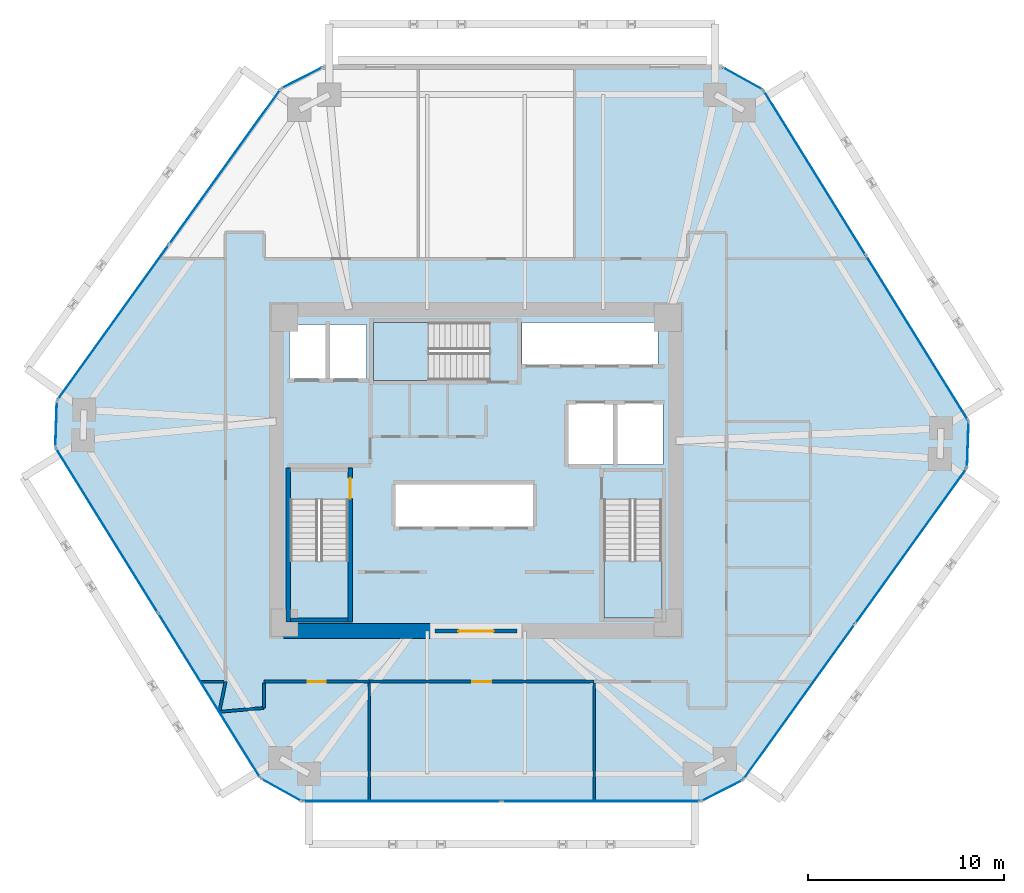
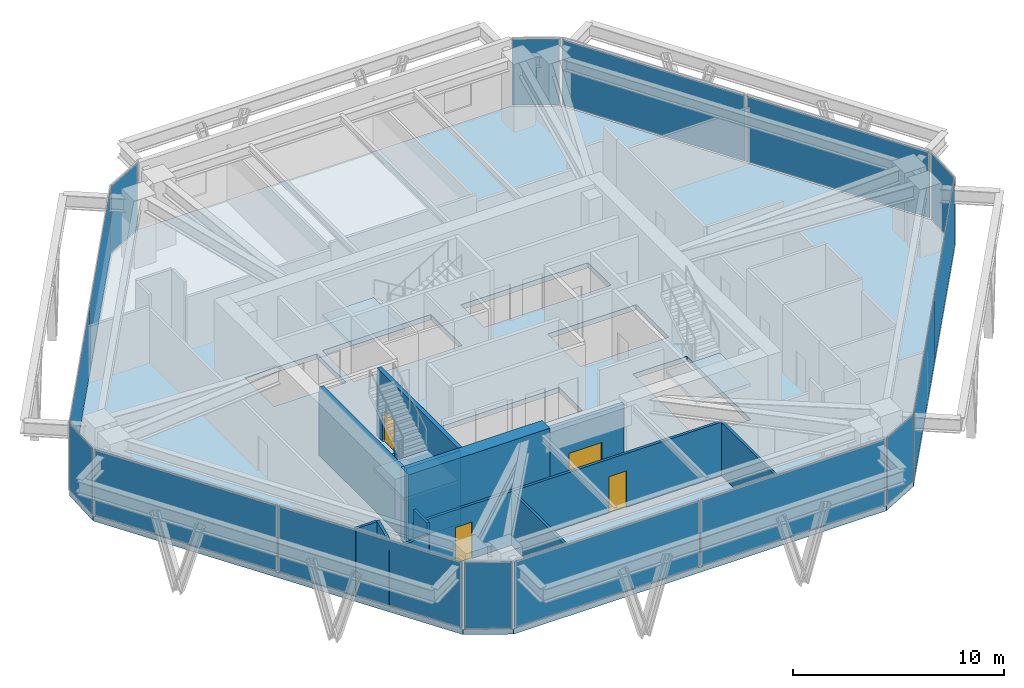
# One storey, part 9 of 14: 16 plates, 13 walls, 4 doors, 4 slabs, 4 openings, 14 elements without a shape of their own.
"""IFC4 building model written with IfcOpenShell, lengths in metres."""

from ifc_helpers import new_model, si_unit, direction, frame, frame_2d, origin, origin_2d, place, context, subcontext, project, spatial, polyline, rectangle, outline, extrude, source, transform, mapped, material, layer, layer_set, type_object, type_shapes, element, fill, aggregate, save


model = new_model("IFC4")

# Units and contexts
model_context = context("Model", 3, precision=1e-05, world=origin(), true_north=direction((0.0, 1.0)))
body_context = subcontext(model_context, "Body", "Model", "MODEL_VIEW")
ifc_project = project(units=[si_unit("LENGTHUNIT", "METRE"), si_unit("AREAUNIT", "SQUARE_METRE"), si_unit("VOLUMEUNIT", "CUBIC_METRE"), si_unit("PLANEANGLEUNIT", "RADIAN"), si_unit("MASSUNIT", "GRAM", prefix="KILO")], contexts=[model_context])

# Site, building, storey
site_placement = place(None, origin())
site = spatial("IfcSite", under=ifc_project, at=site_placement, CompositionType="ELEMENT")
building_placement = place(site_placement, origin())
building = spatial("IfcBuilding", under=site, at=building_placement, Name="Durnholm Broadcast Tower", CompositionType="ELEMENT")
storey_placement = place(building_placement, frame((0.0, 0.0, 93.300048828125)))
storey = spatial("IfcBuildingStorey", under=building, at=storey_placement, Name="L24", CompositionType="ELEMENT", Elevation=93.300048828125)

# Slab
ifc_material_1 = material(Name="Concrete C50/60", Category="concrete")
ifc_layer_1 = layer(ifc_material_1, 0.300048828125)
ifc_layer_set_1 = layer_set([ifc_layer_1], Name="Concrete C50/60")
slab_type_1 = type_object("IfcSlabType", Name="SLAB-FLR-300", PredefinedType="FLOOR", material=ifc_layer_set_1)
slab_1_placement = place(storey_placement, frame((0.0, 0.0, -0.300048828125)))
element("IfcSlab", 1, at=slab_1_placement, inside=storey, type_object=slab_type_1, Name="L24 structural floor slab", PredefinedType="FLOOR", context=body_context, shape_type="SweptSolid", body=[
    extrude(outline(polyline([(-11.012451171875, -15.77001953125), (-8.915283203125, -16.93701171875), (11.51416015625, -16.93701171875), (13.649658203125, -15.841796875), (25.11279296875, 0.114990234375), (25.1943359375, 2.513671875), (14.6904296875, 19.447998046875), (12.59326171875, 20.614990234375), (-7.836181640625, 20.614990234375), (-9.9716796875, 19.519775390625), (-21.434814453125, 3.56298828125), (-21.516357421875, 1.164306640625), (-11.012451171875, -15.77001953125)]), holes=[polyline([(-6.5400390625, -1.5), (-9.5, -1.5), (-9.5, -7.550048828125), (-6.5400390625, -7.550048828125), (-6.5400390625, -1.5)]), polyline([(9.5, -7.550048828125), (9.5, -1.5), (6.5400390625, -1.5), (6.5400390625, -7.550048828125), (9.5, -7.550048828125)]), polyline([(2.949951171875, -0.699951171875), (-4.14990234375, -0.699951171875), (-4.14990234375, -2.89990234375), (2.949951171875, -2.89990234375), (2.949951171875, -0.699951171875)]), polyline([(9.550048828125, 3.39990234375), (4.699951171875, 3.39990234375), (4.699951171875, 0.300048828125), (9.550048828125, 0.300048828125), (9.550048828125, 3.39990234375)]), polyline([(-5.60009765625, 7.449951171875), (-9.550048828125, 7.449951171875), (-9.550048828125, 4.699951171875), (-5.60009765625, 4.699951171875), (-5.60009765625, 7.449951171875)]), polyline([(-5.25, 4.60009765625), (0.699951171875, 4.60009765625), (0.699951171875, 7.56005859375), (-5.25, 7.56005859375), (-5.25, 4.60009765625)]), polyline([(9.31005859375, 7.550048828125), (2.35009765625, 7.550048828125), (2.35009765625, 5.39990234375), (9.31005859375, 5.39990234375), (9.31005859375, 7.550048828125)])]), origin(), (0.0, 0.0, 1.0), 0.300048828125),
])

# Stair, slab
stair_type = type_object("IfcStairType", Name="STAIR-DL-24R1750", PredefinedType="HALF_TURN_STAIR", material=ifc_material_1)
stair_1_placement = place(storey_placement, origin())
stair_1 = element("IfcStair", 2, at=stair_1_placement, inside=storey, type_object=stair_type, Name="L24 ST-1", PredefinedType="HALF_TURN_STAIR")
ifc_layer_2 = layer(ifc_material_1, 0.199951171875)
ifc_layer_set_2 = layer_set([ifc_layer_2], Name="Concrete C50/60")
slab_type_2 = type_object("IfcSlabType", Name="SLAB-LND-200", PredefinedType="LANDING", material=ifc_layer_set_2)
slab_2_placement = place(storey_placement, frame((0.0, 0.0, 1.89990234375)))
slab_2 = element("IfcSlab", 3, at=slab_2_placement, type_object=slab_type_2, Name="ST-1 landing 1", PredefinedType="LANDING", context=body_context, shape_type="SweptSolid", body=[
    extrude(outline(polyline([(-9.5, -4.635009765625), (-9.5, -7.550048828125), (-6.5400390625, -7.550048828125), (-6.5400390625, -4.635009765625), (-9.5, -4.635009765625)])), origin(), (0.0, 0.0, 1.0), 0.199951171875),
])
aggregate(stair_1, [slab_2])

stair_2_placement = place(storey_placement, origin())
stair_2 = element("IfcStair", 4, at=stair_2_placement, inside=storey, type_object=stair_type, Name="L24 ST-2", PredefinedType="HALF_TURN_STAIR")
slab_3_placement = place(storey_placement, frame((0.0, 0.0, 1.89990234375)))
slab_3 = element("IfcSlab", 5, at=slab_3_placement, type_object=slab_type_2, Name="ST-2 landing 1", PredefinedType="LANDING", context=body_context, shape_type="SweptSolid", body=[
    extrude(outline(polyline([(6.5400390625, -4.635009765625), (6.5400390625, -7.550048828125), (9.5, -7.550048828125), (9.5, -4.635009765625), (6.5400390625, -4.635009765625)])), origin(), (0.0, 0.0, 1.0), 0.199951171875),
])
aggregate(stair_2, [slab_3])

stair_3_placement = place(storey_placement, origin())
stair_3 = element("IfcStair", 6, at=stair_3_placement, inside=storey, type_object=stair_type, Name="L24 ST-3", PredefinedType="HALF_TURN_STAIR")
slab_4_placement = place(storey_placement, frame((0.0, 0.0, 1.89990234375)))
slab_4 = element("IfcSlab", 7, at=slab_4_placement, type_object=slab_type_2, Name="ST-3 landing 1", PredefinedType="LANDING", context=body_context, shape_type="SweptSolid", body=[
    extrude(outline(polyline([(-2.43505859375, 7.56005859375), (-5.25, 7.56005859375), (-5.25, 4.60009765625), (-2.43505859375, 4.60009765625), (-2.43505859375, 7.56005859375)])), origin(), (0.0, 0.0, 1.0), 0.199951171875),
])
aggregate(stair_3, [slab_4])

# Curtain wall, plate
ifc_material_2 = material(Name="Aluminium and Solar Control IGU", Category="aluminium")
ifc_layer_3 = layer(ifc_material_2, 0.1650390625)
ifc_layer_set_3 = layer_set([ifc_layer_3], Name="Aluminium and Solar Control IGU")
curtain_wall_type_1 = type_object("IfcCurtainWallType", Name="CW-SYS-5", PredefinedType="NOTDEFINED", material=ifc_layer_set_3)
curtain_wall_1_placement = place(storey_placement, origin())
curtain_wall_1 = element("IfcCurtainWall", 8, at=curtain_wall_1_placement, inside=storey, type_object=curtain_wall_type_1, Name="L24 curtain wall CW-CORNER CW-L24-CRN-01", PredefinedType="NOTDEFINED")
ifc_material_3 = material(Name="Low-E Laminated Insulating Glass", Category="glass")
ifc_layer_4 = layer(ifc_material_3, 0.030029296875)
ifc_layer_set_4 = layer_set([ifc_layer_4], Name="Low-E Laminated Insulating Glass")
plate_type_1 = type_object("IfcPlateType", Name="CW-SYS-5-PNL", PredefinedType="CURTAIN_PANEL", material=ifc_layer_set_4)
shared_shape_1 = source(origin(), body_context, "Body", "SweptSolid", [
    extrude(rectangle(XDim=2.27001953125, YDim=0.030029296875, at=origin_2d()), origin(), (0.0, 0.0, 1.0), 3.830078125),
])
type_shapes(plate_type_1, [shared_shape_1])
plate_1_placement = place(storey_placement, frame((-21.4755859375, 2.36376953125, 0.06494140625), z_axis=(0.0, 0.0, 1.0), x_axis=(0.033916937775, 0.999424655155, 0.0)))
plate_1 = element("IfcPlate", 9, at=plate_1_placement, type_object=plate_type_1, Name="CW-CORNER panel 1.1", PredefinedType="CURTAIN_PANEL", context=body_context, shape_type="MappedRepresentation", body=[
    mapped(shared_shape_1, transform((0.0, 0.0, 0.0), x_axis=(1.0, 0.0, 0.0), y_axis=(0.0, 1.0, 0.0), z_axis=(0.0, 0.0, 1.0), scale=1.0)),
])
aggregate(curtain_wall_1, [plate_1])

curtain_wall_2_placement = place(storey_placement, origin())
curtain_wall_2 = element("IfcCurtainWall", 10, at=curtain_wall_2_placement, inside=storey, type_object=curtain_wall_type_1, Name="L24 curtain wall CW-CORNER CW-L24-CRN-03", PredefinedType="NOTDEFINED")
plate_2_placement = place(storey_placement, frame((-8.904052734375, 20.0673828125, 0.06494140625), z_axis=(0.0, 0.0, 1.0), x_axis=(0.889788396392, 0.45637332267, 0.0)))
plate_2 = element("IfcPlate", 11, at=plate_2_placement, type_object=plate_type_1, Name="CW-CORNER panel 1.1", PredefinedType="CURTAIN_PANEL", context=body_context, shape_type="MappedRepresentation", body=[
    mapped(shared_shape_1, transform((0.0, 0.0, 0.0), x_axis=(1.0, 0.0, 0.0), y_axis=(0.0, 1.0, 0.0), z_axis=(0.0, 0.0, 1.0), scale=1.0)),
])
aggregate(curtain_wall_2, [plate_2])

curtain_wall_3_placement = place(storey_placement, origin())
curtain_wall_3 = element("IfcCurtainWall", 12, at=curtain_wall_3_placement, inside=storey, type_object=curtain_wall_type_1, Name="L24 curtain wall CW-CORNER CW-L24-CRN-05", PredefinedType="NOTDEFINED")
plate_3_placement = place(storey_placement, frame((13.641845703125, 20.031494140625, 0.06494140625), z_axis=(0.0, 0.0, 1.0), x_axis=(0.873822953715, -0.486244224192, 0.0)))
plate_3 = element("IfcPlate", 13, at=plate_3_placement, type_object=plate_type_1, Name="CW-CORNER panel 1.1", PredefinedType="CURTAIN_PANEL", context=body_context, shape_type="MappedRepresentation", body=[
    mapped(shared_shape_1, transform((0.0, 0.0, 0.0), x_axis=(1.0, 0.0, 0.0), y_axis=(0.0, 1.0, 0.0), z_axis=(0.0, 0.0, 1.0), scale=1.0)),
])
aggregate(curtain_wall_3, [plate_3])

curtain_wall_4_placement = place(storey_placement, origin())
curtain_wall_4 = element("IfcCurtainWall", 14, at=curtain_wall_4_placement, inside=storey, type_object=curtain_wall_type_1, Name="L24 curtain wall CW-CORNER CW-L24-CRN-07", PredefinedType="NOTDEFINED")
plate_4_placement = place(storey_placement, frame((25.153564453125, 1.314208984375, 0.06494140625), z_axis=(0.0, 0.0, 1.0), x_axis=(-0.033916937775, -0.999424655155, 0.0)))
plate_4 = element("IfcPlate", 15, at=plate_4_placement, type_object=plate_type_1, Name="CW-CORNER panel 1.1", PredefinedType="CURTAIN_PANEL", context=body_context, shape_type="MappedRepresentation", body=[
    mapped(shared_shape_1, transform((0.0, 0.0, 0.0), x_axis=(1.0, 0.0, 0.0), y_axis=(0.0, 1.0, 0.0), z_axis=(0.0, 0.0, 1.0), scale=1.0)),
])
aggregate(curtain_wall_4, [plate_4])

curtain_wall_5_placement = place(storey_placement, origin())
curtain_wall_5 = element("IfcCurtainWall", 16, at=curtain_wall_5_placement, inside=storey, type_object=curtain_wall_type_1, Name="L24 curtain wall CW-CORNER CW-L24-CRN-09", PredefinedType="NOTDEFINED")
plate_5_placement = place(storey_placement, frame((12.58203125, -16.389404296875, 0.06494140625), z_axis=(0.0, 0.0, 1.0), x_axis=(-0.889788396392, -0.45637332267, 0.0)))
plate_5 = element("IfcPlate", 17, at=plate_5_placement, type_object=plate_type_1, Name="CW-CORNER panel 1.1", PredefinedType="CURTAIN_PANEL", context=body_context, shape_type="MappedRepresentation", body=[
    mapped(shared_shape_1, transform((0.0, 0.0, 0.0), x_axis=(1.0, 0.0, 0.0), y_axis=(0.0, 1.0, 0.0), z_axis=(0.0, 0.0, 1.0), scale=1.0)),
])
aggregate(curtain_wall_5, [plate_5])

curtain_wall_6_placement = place(storey_placement, origin())
curtain_wall_6 = element("IfcCurtainWall", 18, at=curtain_wall_6_placement, inside=storey, type_object=curtain_wall_type_1, Name="L24 curtain wall CW-CORNER CW-L24-CRN-11", PredefinedType="NOTDEFINED")
plate_6_placement = place(storey_placement, frame((-9.9638671875, -16.353515625, 0.06494140625), z_axis=(0.0, 0.0, 1.0), x_axis=(-0.873822953715, 0.486244224192, 0.0)))
plate_6 = element("IfcPlate", 19, at=plate_6_placement, type_object=plate_type_1, Name="CW-CORNER panel 1.1", PredefinedType="CURTAIN_PANEL", context=body_context, shape_type="MappedRepresentation", body=[
    mapped(shared_shape_1, transform((0.0, 0.0, 0.0), x_axis=(1.0, 0.0, 0.0), y_axis=(0.0, 1.0, 0.0), z_axis=(0.0, 0.0, 1.0), scale=1.0)),
])
aggregate(curtain_wall_6, [plate_6])

# Curtain wall, plates
ifc_layer_5 = layer(ifc_material_2, 0.219970703125)
ifc_layer_set_5 = layer_set([ifc_layer_5], Name="Aluminium and Solar Control IGU")
curtain_wall_type_2 = type_object("IfcCurtainWallType", Name="CW-SYS-6", PredefinedType="NOTDEFINED", material=ifc_layer_set_5)
curtain_wall_7_placement = place(storey_placement, origin())
curtain_wall_7 = element("IfcCurtainWall", 20, at=curtain_wall_7_placement, inside=storey, type_object=curtain_wall_type_2, Name="L24 curtain wall CW-AMENITY CW-L24-F02", PredefinedType="NOTDEFINED")
ifc_layer_6 = layer(ifc_material_3, 0.0380859375)
ifc_layer_set_6 = layer_set([ifc_layer_6], Name="Low-E Laminated Insulating Glass")
plate_type_2 = type_object("IfcPlateType", Name="CW-SYS-6-PNL", PredefinedType="CURTAIN_PANEL", material=ifc_layer_set_6)
shared_shape_2 = source(origin(), body_context, "Body", "SweptSolid", [
    extrude(rectangle(XDim=9.711181640625, YDim=0.0380859375, at=origin_2d()), origin(), (0.0, 0.0, 1.0), 3.81005859375),
])
plate_7_placement = place(storey_placement, frame((-18.55810546875, 7.5673828125, 0.074951171875), z_axis=(0.0, 0.0, 1.0), x_axis=(0.583445473786, 0.812152312759, 0.0)))
plate_7 = element("IfcPlate", 21, at=plate_7_placement, type_object=plate_type_2, Name="CW-AMENITY panel 1.1", PredefinedType="CURTAIN_PANEL", context=body_context, shape_type="MappedRepresentation", body=[
    mapped(shared_shape_2, transform((0.0, 0.0, 0.0), x_axis=(1.0, 0.0, 0.0), y_axis=(0.0, 1.0, 0.0), z_axis=(0.0, 0.0, 1.0), scale=1.0)),
])
plate_8_placement = place(storey_placement, frame((-12.848388671875, 15.515380859375, 0.074951171875), z_axis=(0.0, 0.0, 1.0), x_axis=(0.583445473786, 0.812152312759, 0.0)))
plate_8 = element("IfcPlate", 22, at=plate_8_placement, type_object=plate_type_2, Name="CW-AMENITY panel 2.1", PredefinedType="CURTAIN_PANEL", context=body_context, shape_type="MappedRepresentation", body=[
    mapped(shared_shape_2, transform((0.0, 0.0, 0.0), x_axis=(1.0, 0.0, 0.0), y_axis=(0.0, 1.0, 0.0), z_axis=(0.0, 0.0, 1.0), scale=1.0)),
])
aggregate(curtain_wall_7, [plate_7, plate_8])

curtain_wall_8_placement = place(storey_placement, origin())
curtain_wall_8 = element("IfcCurtainWall", 23, at=curtain_wall_8_placement, inside=storey, type_object=curtain_wall_type_2, Name="L24 curtain wall CW-AMENITY CW-L24-F08", PredefinedType="NOTDEFINED")
plate_9_placement = place(storey_placement, frame((22.236083984375, -3.889404296875, 0.074951171875), z_axis=(0.0, 0.0, 1.0), x_axis=(-0.583445473786, -0.812152312759, 0.0)))
plate_9 = element("IfcPlate", 24, at=plate_9_placement, type_object=plate_type_2, Name="CW-AMENITY panel 1.1", PredefinedType="CURTAIN_PANEL", context=body_context, shape_type="MappedRepresentation", body=[
    mapped(shared_shape_2, transform((0.0, 0.0, 0.0), x_axis=(1.0, 0.0, 0.0), y_axis=(0.0, 1.0, 0.0), z_axis=(0.0, 0.0, 1.0), scale=1.0)),
])
plate_10_placement = place(storey_placement, frame((16.5263671875, -11.83740234375, 0.074951171875), z_axis=(0.0, 0.0, 1.0), x_axis=(-0.583445473786, -0.812152312759, 0.0)))
plate_10 = element("IfcPlate", 25, at=plate_10_placement, type_object=plate_type_2, Name="CW-AMENITY panel 2.1", PredefinedType="CURTAIN_PANEL", context=body_context, shape_type="MappedRepresentation", body=[
    mapped(shared_shape_2, transform((0.0, 0.0, 0.0), x_axis=(1.0, 0.0, 0.0), y_axis=(0.0, 1.0, 0.0), z_axis=(0.0, 0.0, 1.0), scale=1.0)),
])
aggregate(curtain_wall_8, [plate_9, plate_10])

curtain_wall_9_placement = place(storey_placement, origin())
curtain_wall_9 = element("IfcCurtainWall", 26, at=curtain_wall_9_placement, inside=storey, type_object=curtain_wall_type_2, Name="L24 curtain wall CW-AMENITY CW-L24-F06", PredefinedType="NOTDEFINED")
shared_shape_3 = source(origin(), body_context, "Body", "SweptSolid", [
    extrude(rectangle(XDim=9.851318359375, YDim=0.0380859375, at=origin_2d()), origin(), (0.0, 0.0, 1.0), 3.81005859375),
])
plate_11_placement = place(storey_placement, frame((17.326171875, 15.198486328125, 0.074951171875), z_axis=(0.0, 0.0, 1.0), x_axis=(0.527105385176, -0.849799925229, 0.0)))
plate_11 = element("IfcPlate", 27, at=plate_11_placement, type_object=plate_type_2, Name="CW-AMENITY panel 1.1", PredefinedType="CURTAIN_PANEL", context=body_context, shape_type="MappedRepresentation", body=[
    mapped(shared_shape_3, transform((0.0, 0.0, 0.0), x_axis=(1.0, 0.0, 0.0), y_axis=(0.0, 1.0, 0.0), z_axis=(0.0, 0.0, 1.0), scale=1.0)),
])
plate_12_placement = place(storey_placement, frame((22.558349609375, 6.76318359375, 0.074951171875), z_axis=(0.0, 0.0, 1.0), x_axis=(0.527105385176, -0.849799925229, 0.0)))
plate_12 = element("IfcPlate", 28, at=plate_12_placement, type_object=plate_type_2, Name="CW-AMENITY panel 2.1", PredefinedType="CURTAIN_PANEL", context=body_context, shape_type="MappedRepresentation", body=[
    mapped(shared_shape_3, transform((0.0, 0.0, 0.0), x_axis=(1.0, 0.0, 0.0), y_axis=(0.0, 1.0, 0.0), z_axis=(0.0, 0.0, 1.0), scale=1.0)),
])
aggregate(curtain_wall_9, [plate_11, plate_12])

curtain_wall_10_placement = place(storey_placement, origin())
curtain_wall_10 = element("IfcCurtainWall", 29, at=curtain_wall_10_placement, inside=storey, type_object=curtain_wall_type_2, Name="L24 curtain wall CW-AMENITY CW-L24-F12", PredefinedType="NOTDEFINED")
plate_13_placement = place(storey_placement, frame((-13.648193359375, -11.5205078125, 0.074951171875), z_axis=(0.0, 0.0, 1.0), x_axis=(-0.527105385176, 0.849799925229, 0.0)))
plate_13 = element("IfcPlate", 30, at=plate_13_placement, type_object=plate_type_2, Name="CW-AMENITY panel 1.1", PredefinedType="CURTAIN_PANEL", context=body_context, shape_type="MappedRepresentation", body=[
    mapped(shared_shape_3, transform((0.0, 0.0, 0.0), x_axis=(1.0, 0.0, 0.0), y_axis=(0.0, 1.0, 0.0), z_axis=(0.0, 0.0, 1.0), scale=1.0)),
])
plate_14_placement = place(storey_placement, frame((-18.88037109375, -3.085205078125, 0.074951171875), z_axis=(0.0, 0.0, 1.0), x_axis=(-0.527105385176, 0.849799925229, 0.0)))
plate_14 = element("IfcPlate", 31, at=plate_14_placement, type_object=plate_type_2, Name="CW-AMENITY panel 2.1", PredefinedType="CURTAIN_PANEL", context=body_context, shape_type="MappedRepresentation", body=[
    mapped(shared_shape_3, transform((0.0, 0.0, 0.0), x_axis=(1.0, 0.0, 0.0), y_axis=(0.0, 1.0, 0.0), z_axis=(0.0, 0.0, 1.0), scale=1.0)),
])
aggregate(curtain_wall_10, [plate_13, plate_14])

curtain_wall_11_placement = place(storey_placement, origin())
curtain_wall_11 = element("IfcCurtainWall", 32, at=curtain_wall_11_placement, inside=storey, type_object=curtain_wall_type_2, Name="L24 curtain wall CW-AMENITY CW-L24-F10", PredefinedType="NOTDEFINED")
shared_shape_4 = source(origin(), body_context, "Body", "SweptSolid", [
    extrude(rectangle(XDim=10.102294921875, YDim=0.0380859375, at=origin_2d()), origin(), (0.0, 0.0, 1.0), 3.81005859375),
])
type_shapes(plate_type_2, [shared_shape_2, shared_shape_3, shared_shape_4])
plate_15_placement = place(storey_placement, frame((6.38818359375, -16.93701171875, 0.074951171875), z_axis=(0.0, 0.0, 1.0), x_axis=(-1.0, 0.0, 0.0)))
plate_15 = element("IfcPlate", 33, at=plate_15_placement, type_object=plate_type_2, Name="CW-AMENITY panel 1.1", PredefinedType="CURTAIN_PANEL", context=body_context, shape_type="MappedRepresentation", body=[
    mapped(shared_shape_4, transform((0.0, 0.0, 0.0), x_axis=(1.0, 0.0, 0.0), y_axis=(0.0, 1.0, 0.0), z_axis=(0.0, 0.0, 1.0), scale=1.0)),
])
plate_16_placement = place(storey_placement, frame((-3.7890625, -16.93701171875, 0.074951171875), z_axis=(0.0, 0.0, 1.0), x_axis=(-1.0, 0.0, 0.0)))
plate_16 = element("IfcPlate", 34, at=plate_16_placement, type_object=plate_type_2, Name="CW-AMENITY panel 2.1", PredefinedType="CURTAIN_PANEL", context=body_context, shape_type="MappedRepresentation", body=[
    mapped(shared_shape_4, transform((0.0, 0.0, 0.0), x_axis=(1.0, 0.0, 0.0), y_axis=(0.0, 1.0, 0.0), z_axis=(0.0, 0.0, 1.0), scale=1.0)),
])
aggregate(curtain_wall_11, [plate_15, plate_16])

# Wall
ifc_material_4 = material(Name="Concrete C70/85", Category="concrete")
ifc_layer_7 = layer(ifc_material_4, 0.75)
ifc_layer_set_7 = layer_set([ifc_layer_7], Name="Concrete C70/85")
wall_type_1 = type_object("IfcWallType", Name="WALL-CW-750", PredefinedType="SHEAR", material=ifc_layer_set_7)
wall_1_placement = place(storey_placement, frame((-9.85009765625, -8.22509765625, 0.0), z_axis=(0.0, 0.0, 1.0), x_axis=(1.0, 0.0, 0.0)))
element("IfcWall", 35, at=wall_1_placement, inside=storey, type_object=wall_type_1, Name="L24 central core shear wall CW-S1", PredefinedType="SHEAR", context=body_context, shape_type="SweptSolid", body=[
    extrude(rectangle(XDim=7.75, YDim=0.75, at=frame_2d((3.875, 0.0))), origin(), (0.0, 0.0, 1.0), 4.199951171875),
])

# Wall, opening, door
ifc_material_5 = material(Name="Fire-Rated Gypsum Shaftwall", Category="concrete")
ifc_layer_8 = layer(ifc_material_5, 0.199951171875)
ifc_layer_set_8 = layer_set([ifc_layer_8], Name="Fire-Rated Gypsum Shaftwall")
wall_type_2 = type_object("IfcWallType", Name="WALL-LOB-200", PredefinedType="SOLIDWALL", material=ifc_layer_set_8)
wall_2_placement = place(storey_placement, frame((-2.10009765625, -8.22509765625, 0.0), z_axis=(0.0, 0.0, 1.0), x_axis=(1.0, 0.0, 0.0)))
wall_2 = element("IfcWall", 36, at=wall_2_placement, inside=storey, type_object=wall_type_2, Name="L24 south core lobby fire screen", PredefinedType="SOLIDWALL", context=body_context, shape_type="SweptSolid", body=[
    extrude(rectangle(XDim=4.2001953125, YDim=0.199951171875, at=frame_2d((2.10009765625, 0.0))), origin(), (0.0, 0.0, 1.0), 3.945068359375),
])
opening_1_placement = place(wall_2_placement, frame((1.199951171875, 0.0, 0.0)))
opening_1 = element("IfcOpeningElement", 37, at=opening_1_placement, cuts=wall_2, Name="Opening DP-60", PredefinedType="OPENING", context=body_context, shape_type="SweptSolid", body=[
    extrude(rectangle(XDim=1.800048828125, YDim=2.14990234375, at=frame_2d((0.89990234375, 1.074951171875))), frame((0.0, 0.10986328125, 0.0), z_axis=(0.0, -1.0, 0.0), x_axis=(1.0, 0.0, 0.0)), (0.0, 0.0, 1.0), 0.219970703125),
])
ifc_material_6 = material(Name="Fire-Rated Double Corridor Door", Category="steel")
ifc_layer_9 = layer(ifc_material_6, 0.050048828125)
ifc_layer_set_9 = layer_set([ifc_layer_9], Name="Fire-Rated Double Corridor Door")
door_type_1 = type_object("IfcDoorType", Name="DOOR-PAIR-FD60", OperationType="DOUBLE_DOOR_SINGLE_SWING", PredefinedType="DOOR", material=ifc_layer_set_9)
shared_shape_5 = source(origin(), body_context, "Body", "SweptSolid", [
    extrude(rectangle(XDim=1.800048828125, YDim=2.14990234375, at=frame_2d((0.89990234375, 1.074951171875))), frame((0.0, 0.02490234375, 0.0), z_axis=(0.0, -1.0, 0.0), x_axis=(1.0, 0.0, 0.0)), (0.0, 0.0, 1.0), 0.050048828125),
])
type_shapes(door_type_1, [shared_shape_5])
door_1_placement = place(opening_1_placement, origin())
door_1 = element("IfcDoor", 38, at=door_1_placement, inside=storey, type_object=door_type_1, Name="L24 south core lobby double fire door", OperationType="DOUBLE_DOOR_SINGLE_SWING", OverallHeight=2.14990234375, OverallWidth=1.800048828125, PredefinedType="DOOR", context=body_context, shape_type="MappedRepresentation", body=[
    mapped(shared_shape_5, transform((0.0, 0.0, 0.0), x_axis=(1.0, 0.0, 0.0), y_axis=(0.0, 1.0, 0.0), z_axis=(0.0, 0.0, 1.0), scale=1.0)),
])
fill(opening_1, door_1)

# Walls
ifc_material_7 = material(Name="Gypsum Metal Stud Partition", Category="concrete")
ifc_layer_10 = layer(ifc_material_7, 0.135009765625)
ifc_layer_set_10 = layer_set([ifc_layer_10], Name="Gypsum Metal Stud Partition")
wall_type_3 = type_object("IfcWallType", Name="WALL-PART-135", PredefinedType="PARTITIONING", material=ifc_layer_set_10)
wall_3_placement = place(storey_placement, frame((-5.4599609375, -10.888916015625, 0.0), z_axis=(0.0, 0.0, 1.0), x_axis=(0.0, -1.0, 0.0)))
element("IfcWall", 39, at=wall_3_placement, inside=storey, type_object=wall_type_3, Name="L24 room dividing partition 13.14", PredefinedType="PARTITIONING", context=body_context, shape_type="SweptSolid", body=[
    extrude(rectangle(XDim=6.048095703125, YDim=0.135009765625, at=frame_2d((3.02392578125, 0.0))), origin(), (0.0, 0.0, 1.0), 3.112060546875),
])
wall_4_placement = place(storey_placement, frame((-14.075927734375, -10.8310546875, 0.0), z_axis=(0.0, 0.0, 1.0), x_axis=(0.999860796611, 0.016684945308, 0.0)))
element("IfcWall", 40, at=wall_4_placement, inside=storey, type_object=wall_type_3, Name="L24 room dividing partition 13.16", PredefinedType="PARTITIONING", context=body_context, shape_type="SweptSolid", body=[
    extrude(rectangle(XDim=1.185302734375, YDim=0.135009765625, at=frame_2d((0.5927734375, 0.0))), origin(), (0.0, 0.0, 1.0), 3.945068359375),
])
wall_5_placement = place(storey_placement, frame((6.0400390625, -10.888916015625, 0.0), z_axis=(0.0, 0.0, 1.0), x_axis=(0.0, -1.0, 0.0)))
element("IfcWall", 41, at=wall_5_placement, inside=storey, type_object=wall_type_3, Name="L24 room dividing partition 14.15", PredefinedType="PARTITIONING", context=body_context, shape_type="SweptSolid", body=[
    extrude(rectangle(XDim=6.048095703125, YDim=0.135009765625, at=frame_2d((3.02392578125, 0.0))), origin(), (0.0, 0.0, 1.0), 3.112060546875),
])

# Wall, opening, door
ifc_material_8 = material(Name="Acoustic Gypsum Stud Partition", Category="concrete")
ifc_layer_11 = layer(ifc_material_8, 0.14990234375)
ifc_layer_set_11 = layer_set([ifc_layer_11], Name="Acoustic Gypsum Stud Partition")
wall_type_4 = type_object("IfcWallType", Name="WALL-PART-150", PredefinedType="PARTITIONING", material=ifc_layer_set_11)
wall_6_placement = place(storey_placement, frame((-10.840087890625, -10.81005859375, 0.0), z_axis=(0.0, 0.0, 1.0), x_axis=(1.0, 0.0, 0.0)))
wall_6 = element("IfcWall", 42, at=wall_6_placement, inside=storey, type_object=wall_type_4, Name="L24 Open Plan Broadcast Workspace 5 corridor partition", PredefinedType="PARTITIONING", context=body_context, shape_type="SweptSolid", body=[
    extrude(rectangle(XDim=5.380126953125, YDim=0.14990234375, at=frame_2d((2.68994140625, 0.0))), origin(), (0.0, 0.0, 1.0), 3.112060546875),
])
opening_2_placement = place(wall_6_placement, frame((2.22998046875, 0.0, 0.0)))
opening_2 = element("IfcOpeningElement", 43, at=opening_2_placement, cuts=wall_6, Name="Opening DR-92R", PredefinedType="OPENING", context=body_context, shape_type="SweptSolid", body=[
    extrude(rectangle(XDim=0.919921875, YDim=2.10009765625, at=frame_2d((0.4599609375, 1.050048828125))), frame((0.0, 0.0849609375, 0.0), z_axis=(0.0, -1.0, 0.0), x_axis=(1.0, 0.0, 0.0)), (0.0, 0.0, 1.0), 0.169921875),
])
ifc_material_9 = material(Name="Oak Veneer Office Door", Category="wood")
ifc_layer_12 = layer(ifc_material_9, 0.050048828125)
ifc_layer_set_12 = layer_set([ifc_layer_12], Name="Oak Veneer Office Door")
door_type_2 = type_object("IfcDoorType", Name="DOOR-RM-920R", OperationType="NOTDEFINED", PredefinedType="DOOR", material=ifc_layer_set_12)
shared_shape_6 = source(origin(), body_context, "Body", "SweptSolid", [
    extrude(rectangle(XDim=0.919921875, YDim=2.10009765625, at=frame_2d((0.4599609375, 1.050048828125))), frame((0.0, 0.02490234375, 0.0), z_axis=(0.0, -1.0, 0.0), x_axis=(1.0, 0.0, 0.0)), (0.0, 0.0, 1.0), 0.050048828125),
])
type_shapes(door_type_2, [shared_shape_6])
door_2_placement = place(opening_2_placement, origin())
door_2 = element("IfcDoor", 44, at=door_2_placement, inside=storey, type_object=door_type_2, Name="L24 Open Plan Broadcast Workspace 5 entrance door", OperationType="SINGLE_SWING_RIGHT", OverallHeight=2.10009765625, OverallWidth=0.919921875, PredefinedType="DOOR", context=body_context, shape_type="MappedRepresentation", body=[
    mapped(shared_shape_6, transform((0.0, 0.0, 0.0), x_axis=(1.0, 0.0, 0.0), y_axis=(0.0, 1.0, 0.0), z_axis=(0.0, 0.0, 1.0), scale=1.0)),
])
fill(opening_2, door_2)

# Walls
wall_7_placement = place(storey_placement, frame((-13.12890625, -12.35791015625, 0.0), z_axis=(0.0, 0.0, 1.0), x_axis=(0.996279168698, 0.086184789953, 0.0)))
element("IfcWall", 45, at=wall_7_placement, inside=storey, type_object=wall_type_4, Name="L24 Open Plan Broadcast Workspace 5 corridor partition", PredefinedType="PARTITIONING", context=body_context, shape_type="SweptSolid", body=[
    extrude(rectangle(XDim=2.29736328125, YDim=0.14990234375, at=frame_2d((1.148681640625, 0.0))), origin(), (0.0, 0.0, 1.0), 3.280029296875),
])
wall_8_placement = place(storey_placement, frame((-12.81005859375, -10.81005859375, 0.0), z_axis=(0.0, 0.0, 1.0), x_axis=(-0.201786289638, -0.979429575474, 0.0)))
element("IfcWall", 46, at=wall_8_placement, inside=storey, type_object=wall_type_4, Name="L24 Open Plan Broadcast Workspace 5 corridor partition", PredefinedType="PARTITIONING", context=body_context, shape_type="SweptSolid", body=[
    extrude(rectangle(XDim=1.497802734375, YDim=0.14990234375, at=frame_2d((0.7490234375, 0.0))), origin(), (0.0, 0.0, 1.0), 3.945068359375),
])
wall_9_placement = place(storey_placement, frame((-10.840087890625, -12.159912109375, 0.0), z_axis=(0.0, 0.0, 1.0), x_axis=(0.0, 1.0, 0.0)))
element("IfcWall", 47, at=wall_9_placement, inside=storey, type_object=wall_type_4, Name="L24 Open Plan Broadcast Workspace 5 corridor partition", PredefinedType="PARTITIONING", context=body_context, shape_type="SweptSolid", body=[
    extrude(rectangle(XDim=1.27099609375, YDim=0.14990234375, at=frame_2d((0.635498046875, 0.0))), origin(), (0.0, 0.0, 1.0), 3.945068359375),
])

# Wall, opening, door
wall_10_placement = place(storey_placement, frame((-5.4599609375, -10.81005859375, 0.0), z_axis=(0.0, 0.0, 1.0), x_axis=(1.0, 0.0, 0.0)))
wall_10 = element("IfcWall", 48, at=wall_10_placement, inside=storey, type_object=wall_type_4, Name="L24 Media Concierge Office corridor partition", PredefinedType="PARTITIONING", context=body_context, shape_type="SweptSolid", body=[
    extrude(rectangle(XDim=11.5, YDim=0.14990234375, at=frame_2d((5.75, 0.0))), origin(), (0.0, 0.0, 1.0), 3.112060546875),
])
opening_3_placement = place(wall_10_placement, frame((5.27490234375, 0.0, 0.0)))
opening_3 = element("IfcOpeningElement", 49, at=opening_3_placement, cuts=wall_10, Name="Opening DR-95L", PredefinedType="OPENING", context=body_context, shape_type="SweptSolid", body=[
    extrude(rectangle(XDim=0.949951171875, YDim=2.10009765625, at=frame_2d((0.47509765625, 1.050048828125))), frame((0.0, 0.0849609375, 0.0), z_axis=(0.0, -1.0, 0.0), x_axis=(1.0, 0.0, 0.0)), (0.0, 0.0, 1.0), 0.169921875),
])
ifc_material_10 = material(Name="Acoustic Oak Veneer Timber Door", Category="wood")
ifc_layer_13 = layer(ifc_material_10, 0.050048828125)
ifc_layer_set_13 = layer_set([ifc_layer_13], Name="Acoustic Oak Veneer Timber Door")
door_type_3 = type_object("IfcDoorType", Name="DOOR-RM-950L", OperationType="NOTDEFINED", PredefinedType="DOOR", material=ifc_layer_set_13)
shared_shape_7 = source(origin(), body_context, "Body", "SweptSolid", [
    extrude(rectangle(XDim=0.949951171875, YDim=2.10009765625, at=frame_2d((0.47509765625, 1.050048828125))), frame((0.0, 0.02490234375, 0.0), z_axis=(0.0, -1.0, 0.0), x_axis=(1.0, 0.0, 0.0)), (0.0, 0.0, 1.0), 0.050048828125),
])
type_shapes(door_type_3, [shared_shape_7])
door_3_placement = place(opening_3_placement, origin())
door_3 = element("IfcDoor", 50, at=door_3_placement, inside=storey, type_object=door_type_3, Name="L24 Media Concierge Office entrance door", OperationType="SINGLE_SWING_LEFT", OverallHeight=2.10009765625, OverallWidth=0.949951171875, PredefinedType="DOOR", context=body_context, shape_type="MappedRepresentation", body=[
    mapped(shared_shape_7, transform((0.0, 0.0, 0.0), x_axis=(1.0, 0.0, 0.0), y_axis=(0.0, 1.0, 0.0), z_axis=(0.0, 0.0, 1.0), scale=1.0)),
])
fill(opening_3, door_3)

ifc_layer_14 = layer(ifc_material_1, 0.219970703125)
ifc_layer_set_14 = layer_set([ifc_layer_14], Name="Concrete C50/60")
wall_type_5 = type_object("IfcWallType", Name="WALL-SW-220", PredefinedType="SHEAR", material=ifc_layer_set_14)
wall_11_placement = place(storey_placement, frame((-6.429931640625, -7.77001953125, -0.300048828125), z_axis=(0.0, 0.0, 1.0), x_axis=(0.0, 1.0, 0.0)))
wall_11 = element("IfcWall", 51, at=wall_11_placement, inside=storey, type_object=wall_type_5, Name="L24 stair ST-1 structural shaft wall E", PredefinedType="SHEAR", context=body_context, shape_type="SweptSolid", body=[
    extrude(rectangle(XDim=7.89013671875, YDim=0.219970703125, at=frame_2d((3.945068359375, 0.0))), origin(), (0.0, 0.0, 1.0), 4.260009765625),
])
opening_4_placement = place(wall_11_placement, frame((6.320068359375, 0.0, 0.0)))
opening_4 = element("IfcOpeningElement", 52, at=opening_4_placement, cuts=wall_11, Name="Opening DS-90L", PredefinedType="OPENING", context=body_context, shape_type="SweptSolid", body=[
    extrude(rectangle(XDim=1.050048828125, YDim=2.14990234375, at=frame_2d((0.52490234375, 1.074951171875))), frame((0.0, 0.1201171875, 0.0), z_axis=(0.0, -1.0, 0.0), x_axis=(1.0, 0.0, 0.0)), (0.0, 0.0, 1.0), 0.239990234375),
])
ifc_material_11 = material(Name="Fire-Rated Steel Door", Category="steel")
ifc_layer_15 = layer(ifc_material_11, 0.050048828125)
ifc_layer_set_15 = layer_set([ifc_layer_15], Name="Fire-Rated Steel Door")
door_type_4 = type_object("IfcDoorType", Name="DOOR-ST-FD90-L", OperationType="NOTDEFINED", PredefinedType="DOOR", material=ifc_layer_set_15)
shared_shape_8 = source(origin(), body_context, "Body", "SweptSolid", [
    extrude(rectangle(XDim=1.050048828125, YDim=2.14990234375, at=frame_2d((0.52490234375, 1.074951171875))), frame((0.0, 0.02490234375, 0.0), z_axis=(0.0, -1.0, 0.0), x_axis=(1.0, 0.0, 0.0)), (0.0, 0.0, 1.0), 0.050048828125),
])
type_shapes(door_type_4, [shared_shape_8])
door_4_placement = place(opening_4_placement, origin())
door_4 = element("IfcDoor", 53, at=door_4_placement, inside=storey, type_object=door_type_4, Name="L24 exit stair ST-1 fire door", OperationType="SINGLE_SWING_LEFT", OverallHeight=2.14990234375, OverallWidth=1.050048828125, PredefinedType="DOOR", context=body_context, shape_type="MappedRepresentation", body=[
    mapped(shared_shape_8, transform((0.0, 0.0, 0.0), x_axis=(1.0, 0.0, 0.0), y_axis=(0.0, 1.0, 0.0), z_axis=(0.0, 0.0, 1.0), scale=1.0)),
])
fill(opening_4, door_4)

# Walls
wall_12_placement = place(storey_placement, frame((-9.610107421875, 0.1201171875, -0.300048828125), z_axis=(0.0, 0.0, 1.0), x_axis=(0.0, -1.0, 0.0)))
element("IfcWall", 54, at=wall_12_placement, inside=storey, type_object=wall_type_5, Name="L24 stair ST-1 structural shaft wall W", PredefinedType="SHEAR", context=body_context, shape_type="SweptSolid", body=[
    extrude(rectangle(XDim=7.89013671875, YDim=0.219970703125, at=frame_2d((3.945068359375, 0.0))), origin(), (0.0, 0.0, 1.0), 4.260009765625),
])
wall_13_placement = place(storey_placement, frame((-9.5, -7.659912109375, -0.300048828125), z_axis=(0.0, 0.0, 1.0), x_axis=(1.0, 0.0, 0.0)))
element("IfcWall", 55, at=wall_13_placement, inside=storey, type_object=wall_type_5, Name="L24 stair ST-1 structural shaft wall S", PredefinedType="SHEAR", context=body_context, shape_type="SweptSolid", body=[
    extrude(rectangle(XDim=2.9599609375, YDim=0.219970703125, at=frame_2d((1.47998046875, 0.0))), origin(), (0.0, 0.0, 1.0), 4.260009765625),
])

save(model, "model.ifc")
